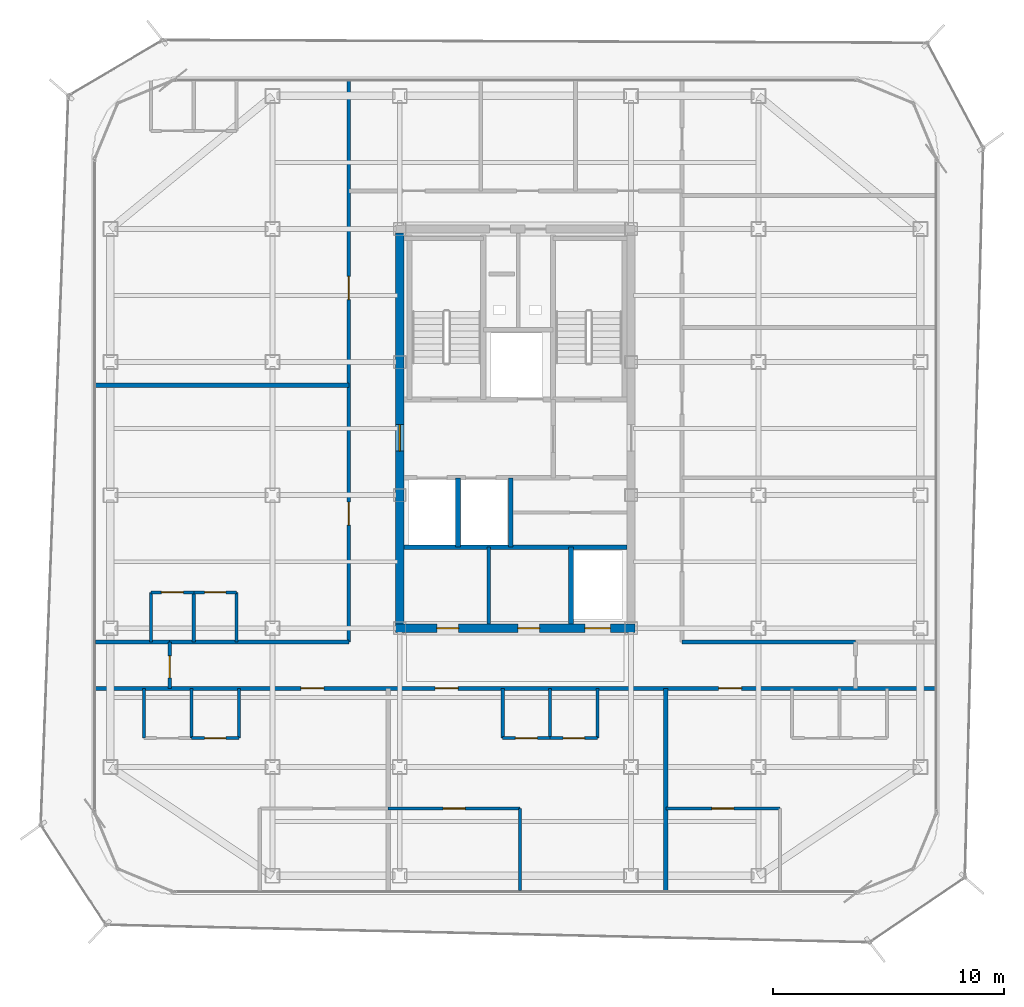
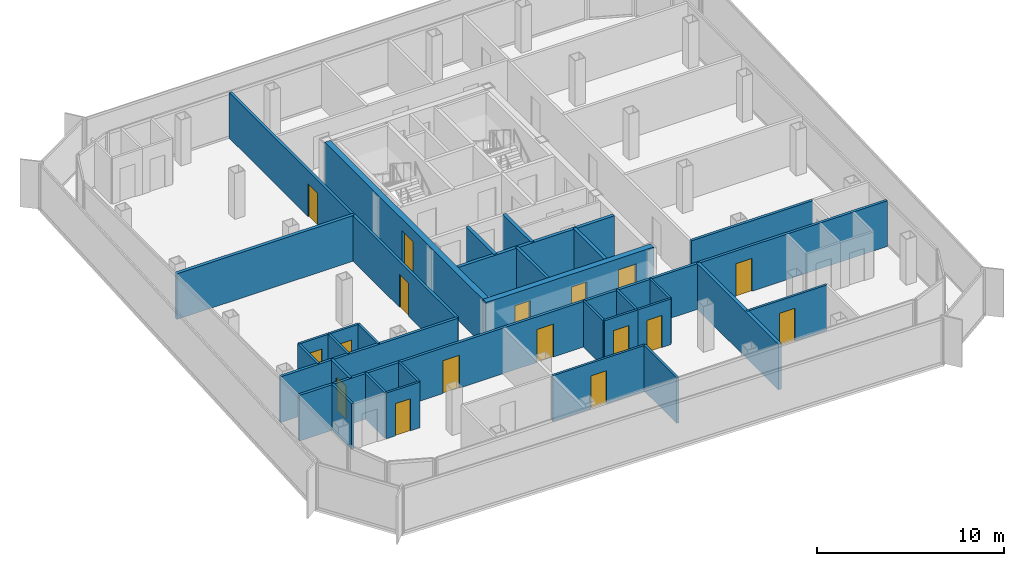
# One storey, part 10 of 15: 32 walls, 17 doors, 17 openings.
"""IFC4 building model written with IfcOpenShell, lengths in metres."""

from ifc_helpers import new_model, si_unit, direction, frame, frame_2d, origin, place, context, subcontext, project, spatial, rectangle, extrude, material, layer, layer_set, type_object, element, fill, save


model = new_model("IFC4")

# Units and contexts
model_context = context("Model", 3, precision=1e-05, world=origin(), true_north=direction((0.0, 1.0)))
body_context = subcontext(model_context, "Body", "Model", "MODEL_VIEW")
ifc_project = project(units=[si_unit("LENGTHUNIT", "METRE"), si_unit("AREAUNIT", "SQUARE_METRE"), si_unit("VOLUMEUNIT", "CUBIC_METRE"), si_unit("PLANEANGLEUNIT", "RADIAN"), si_unit("MASSUNIT", "GRAM", prefix="KILO")], contexts=[model_context])

# Site, building, storey
site_placement = place(None, origin())
site = spatial("IfcSite", under=ifc_project, at=site_placement, CompositionType="ELEMENT")
building_placement = place(site_placement, origin())
building = spatial("IfcBuilding", under=site, at=building_placement, Name="Kolveth Station Tower", CompositionType="ELEMENT")
storey_placement = place(building_placement, frame((0.0, 0.0, 220.10009765625)))
storey = spatial("IfcBuildingStorey", under=building, at=storey_placement, Name="L62", CompositionType="ELEMENT", Elevation=220.10009765625)

# Wall, openings, doors
ifc_material_1 = material(Name="Concrete C50/60", Category="concrete")
ifc_layer_1 = layer(ifc_material_1, 0.35009765625)
ifc_layer_set_1 = layer_set([ifc_layer_1], Name="Concrete C50/60")
wall_type_1 = type_object("IfcWallType", Name="Wall_CW-350", PredefinedType="SHEAR", material=ifc_layer_set_1)
wall_1_placement = place(storey_placement, frame((18.324951171875, 11.5, 0.0), z_axis=(0.0, 0.0, 1.0), x_axis=(1.0, 0.0, 0.0)))
wall_1 = element("IfcWall", 1, at=wall_1_placement, inside=storey, type_object=wall_type_1, Name="L62 Core RC Shear Wall S", PredefinedType="SHEAR", context=body_context, shape_type="SweptSolid", body=[
    extrude(rectangle(XDim=10.35009765625, YDim=0.35009765625, at=frame_2d((5.175048828125, 0.0))), origin(), (0.0, 0.0, 1.0), 2.97998046875),
])
opening_1_placement = place(wall_1_placement, frame((1.77490234375, 0.0, 0.0)))
opening_1 = element("IfcOpeningElement", 2, at=opening_1_placement, cuts=wall_1, Name="Opening ID1", PredefinedType="OPENING", context=body_context, shape_type="SweptSolid", body=[
    extrude(rectangle(XDim=0.949951171875, YDim=2.14990234375, at=frame_2d((0.47509765625, 1.074951171875))), frame((0.0, 0.18505859375, 0.0), z_axis=(0.0, -1.0, 0.0), x_axis=(1.0, 0.0, 0.0)), (0.0, 0.0, 1.0), 0.3701171875),
])
opening_2_placement = place(wall_1_placement, frame((5.27490234375, 0.0, 0.0)))
opening_2 = element("IfcOpeningElement", 3, at=opening_2_placement, cuts=wall_1, Name="Opening ID1", PredefinedType="OPENING", context=body_context, shape_type="SweptSolid", body=[
    extrude(rectangle(XDim=0.949951171875, YDim=2.14990234375, at=frame_2d((0.47509765625, 1.074951171875))), frame((0.0, 0.18505859375, 0.0), z_axis=(0.0, -1.0, 0.0), x_axis=(1.0, 0.0, 0.0)), (0.0, 0.0, 1.0), 0.3701171875),
])
opening_3_placement = place(wall_1_placement, frame((8.175048828125, 0.0, 0.0)))
opening_3 = element("IfcOpeningElement", 4, at=opening_3_placement, cuts=wall_1, Name="Opening LD1", PredefinedType="OPENING", context=body_context, shape_type="SweptSolid", body=[
    extrude(rectangle(XDim=1.10009765625, YDim=2.25, at=frame_2d((0.550048828125, 1.125))), frame((0.0, 0.18505859375, 0.0), z_axis=(0.0, -1.0, 0.0), x_axis=(1.0, 0.0, 0.0)), (0.0, 0.0, 1.0), 0.3701171875),
])
ifc_material_2 = material(Name="Acoustic hardwood leaf and aluminium frame", Category="wood")
door_type_1 = type_object("IfcDoorType", Name="Door_ID1", OperationType="NOTDEFINED", PredefinedType="DOOR", material=ifc_material_2)
door_1_placement = place(opening_1_placement, frame((0.949951171875, 0.0, 0.0), z_axis=(0.0, 0.0, 1.0), x_axis=(-1.0, 0.0, 0.0)))
door_1 = element("IfcDoor", 5, at=door_1_placement, inside=storey, type_object=door_type_1, Name="L62 Laundry Room Door", OperationType="SINGLE_SWING_RIGHT", OverallHeight=2.14990234375, OverallWidth=0.949951171875, PredefinedType="DOOR", context=body_context, shape_type="SweptSolid", body=[
    extrude(rectangle(XDim=0.949951171875, YDim=2.14990234375, at=frame_2d((0.47509765625, 1.074951171875))), frame((0.0, 0.02490234375, 0.0), z_axis=(0.0, -1.0, 0.0), x_axis=(1.0, 0.0, 0.0)), (0.0, 0.0, 1.0), 0.050048828125),
])
fill(opening_1, door_1)
door_2_placement = place(opening_2_placement, frame((0.949951171875, 0.0, 0.0), z_axis=(0.0, 0.0, 1.0), x_axis=(-1.0, 0.0, 0.0)))
door_2 = element("IfcDoor", 6, at=door_2_placement, inside=storey, type_object=door_type_1, Name="L62 Parcel Room Door", OperationType="SINGLE_SWING_LEFT", OverallHeight=2.14990234375, OverallWidth=0.949951171875, PredefinedType="DOOR", context=body_context, shape_type="SweptSolid", body=[
    extrude(rectangle(XDim=0.949951171875, YDim=2.14990234375, at=frame_2d((0.47509765625, 1.074951171875))), frame((0.0, 0.02490234375, 0.0), z_axis=(0.0, -1.0, 0.0), x_axis=(1.0, 0.0, 0.0)), (0.0, 0.0, 1.0), 0.050048828125),
])
fill(opening_2, door_2)
ifc_material_3 = material(Name="Brushed stainless steel sliding landing doors", Category="steel")
door_type_2 = type_object("IfcDoorType", Name="Door_LD1", OperationType="NOTDEFINED", PredefinedType="DOOR", material=ifc_material_3)
door_3_placement = place(opening_3_placement, frame((1.10009765625, 0.0, 0.0), z_axis=(0.0, 0.0, 1.0), x_axis=(-1.0, 0.0, 0.0)))
door_3 = element("IfcDoor", 7, at=door_3_placement, inside=storey, type_object=door_type_2, Name="L62 Lift PH1 Landing Door", OperationType="DOUBLE_DOOR_SLIDING", OverallHeight=2.25, OverallWidth=1.10009765625, PredefinedType="DOOR", context=body_context, shape_type="SweptSolid", body=[
    extrude(rectangle(XDim=1.10009765625, YDim=2.25, at=frame_2d((0.550048828125, 1.125))), frame((0.0, 0.02490234375, 0.0), z_axis=(0.0, -1.0, 0.0), x_axis=(1.0, 0.0, 0.0)), (0.0, 0.0, 1.0), 0.050048828125),
])
fill(opening_3, door_3)

# Wall, opening, door
wall_2_placement = place(storey_placement, frame((18.5, 11.675048828125, 0.0), z_axis=(0.0, 0.0, 1.0), x_axis=(0.0, 1.0, 0.0)))
wall_2 = element("IfcWall", 8, at=wall_2_placement, inside=storey, type_object=wall_type_1, Name="L62 Core RC Shear Wall W", PredefinedType="SHEAR", context=body_context, shape_type="SweptSolid", body=[
    extrude(rectangle(XDim=16.89990234375, YDim=0.35009765625, at=frame_2d((8.449951171875, 0.0))), origin(), (0.0, 0.0, 1.0), 2.97998046875),
])
opening_4_placement = place(wall_2_placement, frame((7.47509765625, 0.0, 0.0)))
opening_4 = element("IfcOpeningElement", 9, at=opening_4_placement, cuts=wall_2, Name="Opening FD1", PredefinedType="OPENING", context=body_context, shape_type="SweptSolid", body=[
    extrude(rectangle(XDim=1.14990234375, YDim=2.199951171875, at=frame_2d((0.574951171875, 1.10009765625))), frame((0.0, 0.18505859375, 0.0), z_axis=(0.0, -1.0, 0.0), x_axis=(1.0, 0.0, 0.0)), (0.0, 0.0, 1.0), 0.3701171875),
])
ifc_material_4 = material(Name="Fire-rated Steel S355 leaf and frame", Category="steel")
door_type_3 = type_object("IfcDoorType", Name="Door_FD1", OperationType="NOTDEFINED", PredefinedType="DOOR", material=ifc_material_4)
door_4_placement = place(opening_4_placement, frame((1.14990234375, 0.0, 0.0), z_axis=(0.0, 0.0, 1.0), x_axis=(-1.0, 0.0, 0.0)))
door_4 = element("IfcDoor", 10, at=door_4_placement, inside=storey, type_object=door_type_3, Name="L62 West Corridor to Firefighting Lobby Door", OperationType="SINGLE_SWING_RIGHT", OverallHeight=2.199951171875, OverallWidth=1.14990234375, PredefinedType="DOOR", context=body_context, shape_type="SweptSolid", body=[
    extrude(rectangle(XDim=1.14990234375, YDim=2.199951171875, at=frame_2d((0.574951171875, 1.10009765625))), frame((0.0, 0.02490234375, 0.0), z_axis=(0.0, -1.0, 0.0), x_axis=(1.0, 0.0, 0.0)), (0.0, 0.0, 1.0), 0.050048828125),
])
fill(opening_4, door_4)

ifc_material_5 = material(Name="Moisture-resistant gypsum partition")
ifc_layer_2 = layer(ifc_material_5, 0.135009765625)
ifc_layer_set_2 = layer_set([ifc_layer_2], Name="Moisture-resistant gypsum partition")
wall_type_2 = type_object("IfcWallType", Name="Wall_IW-135", PredefinedType="PARTITIONING", material=ifc_layer_set_2)
wall_3_placement = place(storey_placement, frame((9.5, 6.75, 0.0), z_axis=(0.0, 0.0, 1.0), x_axis=(1.0, 0.0, 0.0)))
wall_3 = element("IfcWall", 11, at=wall_3_placement, inside=storey, type_object=wall_type_2, Name="L62 Partition Wall WL-L62-A1-IBHB", PredefinedType="PARTITIONING", context=body_context, shape_type="SweptSolid", body=[
    extrude(rectangle(XDim=2.050048828125, YDim=0.135009765625, at=frame_2d((1.02490234375, 0.0))), origin(), (0.0, 0.0, 1.0), 2.97998046875),
])
opening_5_placement = place(wall_3_placement, frame((0.56494140625, 0.0, 0.0)))
opening_5 = element("IfcOpeningElement", 12, at=opening_5_placement, cuts=wall_3, Name="Opening ID2", PredefinedType="OPENING", context=body_context, shape_type="SweptSolid", body=[
    extrude(rectangle(XDim=0.919921875, YDim=2.10009765625, at=frame_2d((0.4599609375, 1.050048828125))), frame((0.0, 0.077392578125, 0.0), z_axis=(0.0, -1.0, 0.0), x_axis=(1.0, 0.0, 0.0)), (0.0, 0.0, 1.0), 0.155029296875),
])
ifc_material_6 = material(Name="Moisture-resistant hardwood leaf", Category="wood")
door_type_4 = type_object("IfcDoorType", Name="Door_ID2", OperationType="NOTDEFINED", PredefinedType="DOOR", material=ifc_material_6)
door_5_placement = place(opening_5_placement, origin())
door_5 = element("IfcDoor", 13, at=door_5_placement, inside=storey, type_object=door_type_4, Name="Penthouse Flat L62-A1 Bathroom Door", OperationType="SINGLE_SWING_LEFT", OverallHeight=2.10009765625, OverallWidth=0.919921875, PredefinedType="DOOR", context=body_context, shape_type="SweptSolid", body=[
    extrude(rectangle(XDim=0.919921875, YDim=2.10009765625, at=frame_2d((0.4599609375, 1.050048828125))), frame((0.0, 0.02490234375, 0.0), z_axis=(0.0, -1.0, 0.0), x_axis=(1.0, 0.0, 0.0)), (0.0, 0.0, 1.0), 0.050048828125),
])
fill(opening_5, door_5)

# Walls
for number, where, z_axis, x_axis, name in (
    (14, (7.449951171875, 6.75, 0.0), (0.0, 0.0, 1.0), (0.0, 1.0, 0.0), "L62 Partition Wall WL-L62-A1-IBV0"),
    (15, (9.5, 6.75, 0.0), (0.0, 0.0, 1.0), (0.0, 1.0, 0.0), "L62 Partition Wall WL-L62-A1-IBV1"),
    (16, (11.550048828125, 6.75, 0.0), (0.0, 0.0, 1.0), (0.0, 1.0, 0.0), "L62 Partition Wall WL-L62-A1-IBV2"),
):
    element("IfcWall", number, at=place(storey_placement, frame(where, z_axis=z_axis, x_axis=x_axis)), inside=storey, type_object=wall_type_2, Name=name, PredefinedType="PARTITIONING", context=body_context, shape_type="SweptSolid", body=[
        extrude(rectangle(XDim=2.14990234375, YDim=0.135009765625, at=frame_2d((1.074951171875, 0.0))), origin(), (0.0, 0.0, 1.0), 2.97998046875),
    ])

# Wall, opening, door
wall_4_placement = place(storey_placement, frame((22.949951171875, 6.75, 0.0), z_axis=(0.0, 0.0, 1.0), x_axis=(1.0, 0.0, 0.0)))
wall_4 = element("IfcWall", 17, at=wall_4_placement, inside=storey, type_object=wall_type_2, Name="L62 Partition Wall WL-L62-A2-IBHK", PredefinedType="PARTITIONING", context=body_context, shape_type="SweptSolid", body=[
    extrude(rectangle(XDim=2.050048828125, YDim=0.135009765625, at=frame_2d((1.02490234375, 0.0))), origin(), (0.0, 0.0, 1.0), 2.97998046875),
])
opening_6_placement = place(wall_4_placement, frame((0.544921875, 0.0, 0.0)))
opening_6 = element("IfcOpeningElement", 18, at=opening_6_placement, cuts=wall_4, Name="Opening ID1", PredefinedType="OPENING", context=body_context, shape_type="SweptSolid", body=[
    extrude(rectangle(XDim=0.949951171875, YDim=2.14990234375, at=frame_2d((0.47509765625, 1.074951171875))), frame((0.0, 0.077392578125, 0.0), z_axis=(0.0, -1.0, 0.0), x_axis=(1.0, 0.0, 0.0)), (0.0, 0.0, 1.0), 0.155029296875),
])
door_6_placement = place(opening_6_placement, origin())
door_6 = element("IfcDoor", 19, at=door_6_placement, inside=storey, type_object=door_type_1, Name="Penthouse Flat L62-A2 Kitchen Door", OperationType="SINGLE_SWING_RIGHT", OverallHeight=2.14990234375, OverallWidth=0.949951171875, PredefinedType="DOOR", context=body_context, shape_type="SweptSolid", body=[
    extrude(rectangle(XDim=0.949951171875, YDim=2.14990234375, at=frame_2d((0.47509765625, 1.074951171875))), frame((0.0, 0.02490234375, 0.0), z_axis=(0.0, -1.0, 0.0), x_axis=(1.0, 0.0, 0.0)), (0.0, 0.0, 1.0), 0.050048828125),
])
fill(opening_6, door_6)

wall_5_placement = place(storey_placement, frame((25.0, 6.75, 0.0), z_axis=(0.0, 0.0, 1.0), x_axis=(1.0, 0.0, 0.0)))
wall_5 = element("IfcWall", 20, at=wall_5_placement, inside=storey, type_object=wall_type_2, Name="L62 Partition Wall WL-L62-A2-IBHB", PredefinedType="PARTITIONING", context=body_context, shape_type="SweptSolid", body=[
    extrude(rectangle(XDim=2.050048828125, YDim=0.135009765625, at=frame_2d((1.02490234375, 0.0))), origin(), (0.0, 0.0, 1.0), 2.97998046875),
])
opening_7_placement = place(wall_5_placement, frame((0.56494140625, 0.0, 0.0)))
opening_7 = element("IfcOpeningElement", 21, at=opening_7_placement, cuts=wall_5, Name="Opening ID2", PredefinedType="OPENING", context=body_context, shape_type="SweptSolid", body=[
    extrude(rectangle(XDim=0.919921875, YDim=2.10009765625, at=frame_2d((0.4599609375, 1.050048828125))), frame((0.0, 0.077392578125, 0.0), z_axis=(0.0, -1.0, 0.0), x_axis=(1.0, 0.0, 0.0)), (0.0, 0.0, 1.0), 0.155029296875),
])
door_7_placement = place(opening_7_placement, origin())
door_7 = element("IfcDoor", 22, at=door_7_placement, inside=storey, type_object=door_type_4, Name="Penthouse Flat L62-A2 Bathroom Door", OperationType="SINGLE_SWING_LEFT", OverallHeight=2.10009765625, OverallWidth=0.919921875, PredefinedType="DOOR", context=body_context, shape_type="SweptSolid", body=[
    extrude(rectangle(XDim=0.919921875, YDim=2.10009765625, at=frame_2d((0.4599609375, 1.050048828125))), frame((0.0, 0.02490234375, 0.0), z_axis=(0.0, -1.0, 0.0), x_axis=(1.0, 0.0, 0.0)), (0.0, 0.0, 1.0), 0.050048828125),
])
fill(opening_7, door_7)

# Walls
for number, where, z_axis, x_axis, name in (
    (23, (22.949951171875, 6.75, 0.0), (0.0, 0.0, 1.0), (0.0, 1.0, 0.0), "L62 Partition Wall WL-L62-A2-IBV0"),
    (24, (25.0, 6.75, 0.0), (0.0, 0.0, 1.0), (0.0, 1.0, 0.0), "L62 Partition Wall WL-L62-A2-IBV1"),
    (25, (27.050048828125, 6.75, 0.0), (0.0, 0.0, 1.0), (0.0, 1.0, 0.0), "L62 Partition Wall WL-L62-A2-IBV2"),
):
    element("IfcWall", number, at=place(storey_placement, frame(where, z_axis=z_axis, x_axis=x_axis)), inside=storey, type_object=wall_type_2, Name=name, PredefinedType="PARTITIONING", context=body_context, shape_type="SweptSolid", body=[
        extrude(rectangle(XDim=2.14990234375, YDim=0.135009765625, at=frame_2d((1.074951171875, 0.0))), origin(), (0.0, 0.0, 1.0), 2.97998046875),
    ])
wall_6_placement = place(storey_placement, frame((23.7041015625, 0.159912109375, 0.0), z_axis=(0.0, 0.0, 1.0), x_axis=(0.0, 1.0, 0.0)))
element("IfcWall", 26, at=wall_6_placement, inside=storey, type_object=wall_type_2, Name="L62 Partition Wall WL-L62-A2-BDVE", PredefinedType="PARTITIONING", context=body_context, shape_type="SweptSolid", body=[
    extrude(rectangle(XDim=3.550048828125, YDim=0.135009765625, at=frame_2d((1.77490234375, 0.0))), origin(), (0.0, 0.0, 1.0), 2.97998046875),
])

# Wall, opening, door
wall_7_placement = place(storey_placement, frame((18.0, 3.7099609375, 0.0), z_axis=(0.0, 0.0, 1.0), x_axis=(1.0, 0.0, 0.0)))
wall_7 = element("IfcWall", 27, at=wall_7_placement, inside=storey, type_object=wall_type_2, Name="L62 Partition Wall WL-L62-A2-BDH1", PredefinedType="PARTITIONING", context=body_context, shape_type="SweptSolid", body=[
    extrude(rectangle(XDim=5.7041015625, YDim=0.135009765625, at=frame_2d((2.85205078125, 0.0))), origin(), (0.0, 0.0, 1.0), 2.97998046875),
])
opening_8_placement = place(wall_7_placement, frame((2.3720703125, 0.0, 0.0)))
opening_8 = element("IfcOpeningElement", 28, at=opening_8_placement, cuts=wall_7, Name="Opening ID1", PredefinedType="OPENING", context=body_context, shape_type="SweptSolid", body=[
    extrude(rectangle(XDim=0.949951171875, YDim=2.14990234375, at=frame_2d((0.47509765625, 1.074951171875))), frame((0.0, 0.077392578125, 0.0), z_axis=(0.0, -1.0, 0.0), x_axis=(1.0, 0.0, 0.0)), (0.0, 0.0, 1.0), 0.155029296875),
])
door_8_placement = place(opening_8_placement, frame((0.949951171875, 0.0, 0.0), z_axis=(0.0, 0.0, 1.0), x_axis=(-1.0, 0.0, 0.0)))
door_8 = element("IfcDoor", 29, at=door_8_placement, inside=storey, type_object=door_type_1, Name="Penthouse Flat L62-A2 Bedroom 1 Door", OperationType="SINGLE_SWING_RIGHT", OverallHeight=2.14990234375, OverallWidth=0.949951171875, PredefinedType="DOOR", context=body_context, shape_type="SweptSolid", body=[
    extrude(rectangle(XDim=0.949951171875, YDim=2.14990234375, at=frame_2d((0.47509765625, 1.074951171875))), frame((0.0, 0.02490234375, 0.0), z_axis=(0.0, -1.0, 0.0), x_axis=(1.0, 0.0, 0.0)), (0.0, 0.0, 1.0), 0.050048828125),
])
fill(opening_8, door_8)

wall_8_placement = place(storey_placement, frame((30.0, 3.7099609375, 0.0), z_axis=(0.0, 0.0, 1.0), x_axis=(1.0, 0.0, 0.0)))
wall_8 = element("IfcWall", 30, at=wall_8_placement, inside=storey, type_object=wall_type_2, Name="L62 Partition Wall WL-L62-A3-BDH1", PredefinedType="PARTITIONING", context=body_context, shape_type="SweptSolid", body=[
    extrude(rectangle(XDim=4.928955078125, YDim=0.135009765625, at=frame_2d((2.46435546875, 0.0))), origin(), (0.0, 0.0, 1.0), 2.97998046875),
])
opening_9_placement = place(wall_8_placement, frame((1.985107421875, 0.0, 0.0)))
opening_9 = element("IfcOpeningElement", 31, at=opening_9_placement, cuts=wall_8, Name="Opening ID1", PredefinedType="OPENING", context=body_context, shape_type="SweptSolid", body=[
    extrude(rectangle(XDim=0.949951171875, YDim=2.14990234375, at=frame_2d((0.47509765625, 1.074951171875))), frame((0.0, 0.077392578125, 0.0), z_axis=(0.0, -1.0, 0.0), x_axis=(1.0, 0.0, 0.0)), (0.0, 0.0, 1.0), 0.155029296875),
])
door_9_placement = place(opening_9_placement, frame((0.949951171875, 0.0, 0.0), z_axis=(0.0, 0.0, 1.0), x_axis=(-1.0, 0.0, 0.0)))
door_9 = element("IfcDoor", 32, at=door_9_placement, inside=storey, type_object=door_type_1, Name="Flat L62-A3 Bedroom 1 Door", OperationType="SINGLE_SWING_LEFT", OverallHeight=2.14990234375, OverallWidth=0.949951171875, PredefinedType="DOOR", context=body_context, shape_type="SweptSolid", body=[
    extrude(rectangle(XDim=0.949951171875, YDim=2.14990234375, at=frame_2d((0.47509765625, 1.074951171875))), frame((0.0, 0.02490234375, 0.0), z_axis=(0.0, -1.0, 0.0), x_axis=(1.0, 0.0, 0.0)), (0.0, 0.0, 1.0), 0.050048828125),
])
fill(opening_9, door_9)

wall_9_placement = place(storey_placement, frame((7.75, 13.050048828125, 0.0), z_axis=(0.0, 0.0, 1.0), x_axis=(1.0, 0.0, 0.0)))
wall_9 = element("IfcWall", 33, at=wall_9_placement, inside=storey, type_object=wall_type_2, Name="L62 Partition Wall WL-L62-W1-IBHK", PredefinedType="PARTITIONING", context=body_context, shape_type="SweptSolid", body=[
    extrude(rectangle(XDim=1.85009765625, YDim=0.135009765625, at=frame_2d((0.925048828125, 0.0))), origin(), (0.0, 0.0, 1.0), 2.97998046875),
])
opening_10_placement = place(wall_9_placement, frame((0.445068359375, 0.0, 0.0)))
opening_10 = element("IfcOpeningElement", 34, at=opening_10_placement, cuts=wall_9, Name="Opening ID1", PredefinedType="OPENING", context=body_context, shape_type="SweptSolid", body=[
    extrude(rectangle(XDim=0.949951171875, YDim=2.14990234375, at=frame_2d((0.47509765625, 1.074951171875))), frame((0.0, 0.077392578125, 0.0), z_axis=(0.0, -1.0, 0.0), x_axis=(1.0, 0.0, 0.0)), (0.0, 0.0, 1.0), 0.155029296875),
])
door_10_placement = place(opening_10_placement, origin())
door_10 = element("IfcDoor", 35, at=door_10_placement, inside=storey, type_object=door_type_1, Name="Penthouse Flat L62-W1 Kitchen Door", OperationType="SINGLE_SWING_RIGHT", OverallHeight=2.14990234375, OverallWidth=0.949951171875, PredefinedType="DOOR", context=body_context, shape_type="SweptSolid", body=[
    extrude(rectangle(XDim=0.949951171875, YDim=2.14990234375, at=frame_2d((0.47509765625, 1.074951171875))), frame((0.0, 0.02490234375, 0.0), z_axis=(0.0, -1.0, 0.0), x_axis=(1.0, 0.0, 0.0)), (0.0, 0.0, 1.0), 0.050048828125),
])
fill(opening_10, door_10)

wall_10_placement = place(storey_placement, frame((9.60009765625, 13.050048828125, 0.0), z_axis=(0.0, 0.0, 1.0), x_axis=(1.0, 0.0, 0.0)))
wall_10 = element("IfcWall", 36, at=wall_10_placement, inside=storey, type_object=wall_type_2, Name="L62 Partition Wall WL-L62-W1-IBHB", PredefinedType="PARTITIONING", context=body_context, shape_type="SweptSolid", body=[
    extrude(rectangle(XDim=1.849853515625, YDim=0.135009765625, at=frame_2d((0.9248046875, 0.0))), origin(), (0.0, 0.0, 1.0), 2.97998046875),
])
opening_11_placement = place(wall_10_placement, frame((0.465087890625, 0.0, 0.0)))
opening_11 = element("IfcOpeningElement", 37, at=opening_11_placement, cuts=wall_10, Name="Opening ID2", PredefinedType="OPENING", context=body_context, shape_type="SweptSolid", body=[
    extrude(rectangle(XDim=0.919921875, YDim=2.10009765625, at=frame_2d((0.4599609375, 1.050048828125))), frame((0.0, 0.077392578125, 0.0), z_axis=(0.0, -1.0, 0.0), x_axis=(1.0, 0.0, 0.0)), (0.0, 0.0, 1.0), 0.155029296875),
])
door_11_placement = place(opening_11_placement, origin())
door_11 = element("IfcDoor", 38, at=door_11_placement, inside=storey, type_object=door_type_4, Name="Penthouse Flat L62-W1 Bathroom Door", OperationType="SINGLE_SWING_LEFT", OverallHeight=2.10009765625, OverallWidth=0.919921875, PredefinedType="DOOR", context=body_context, shape_type="SweptSolid", body=[
    extrude(rectangle(XDim=0.919921875, YDim=2.10009765625, at=frame_2d((0.4599609375, 1.050048828125))), frame((0.0, 0.02490234375, 0.0), z_axis=(0.0, -1.0, 0.0), x_axis=(1.0, 0.0, 0.0)), (0.0, 0.0, 1.0), 0.050048828125),
])
fill(opening_11, door_11)

# Walls
for number, where, z_axis, x_axis, name in (
    (39, (7.75, 10.89990234375, 0.0), (0.0, 0.0, 1.0), (0.0, 1.0, 0.0), "L62 Partition Wall WL-L62-W1-IBV0"),
    (40, (9.60009765625, 10.89990234375, 0.0), (0.0, 0.0, 1.0), (0.0, 1.0, 0.0), "L62 Partition Wall WL-L62-W1-IBV1"),
    (41, (11.449951171875, 10.89990234375, 0.0), (0.0, 0.0, 1.0), (0.0, 1.0, 0.0), "L62 Partition Wall WL-L62-W1-IBV2"),
):
    element("IfcWall", number, at=place(storey_placement, frame(where, z_axis=z_axis, x_axis=x_axis)), inside=storey, type_object=wall_type_2, Name=name, PredefinedType="PARTITIONING", context=body_context, shape_type="SweptSolid", body=[
        extrude(rectangle(XDim=2.150146484375, YDim=0.135009765625, at=frame_2d((1.0751953125, 0.0))), origin(), (0.0, 0.0, 1.0), 2.97998046875),
    ])
ifc_material_7 = material(Name="Acoustic double-stud gypsum partition")
ifc_layer_3 = layer(ifc_material_7, 0.1650390625)
ifc_layer_set_3 = layer_set([ifc_layer_3], Name="Acoustic double-stud gypsum partition")
wall_type_3 = type_object("IfcWallType", Name="Wall_IW-165", PredefinedType="PARTITIONING", material=ifc_layer_set_3)
wall_11_placement = place(storey_placement, frame((22.35009765625, 11.68505859375, 0.0), z_axis=(0.0, 0.0, 1.0), x_axis=(0.0, 1.0, 0.0)))
element("IfcWall", 42, at=wall_11_placement, inside=storey, type_object=wall_type_3, Name="L62 Partition Wall WL-L62-FR-M", PredefinedType="PARTITIONING", context=body_context, shape_type="SweptSolid", body=[
    extrude(rectangle(XDim=3.31494140625, YDim=0.1650390625, at=frame_2d((1.657470703125, 0.0))), origin(), (0.0, 0.0, 1.0), 2.97998046875),
])

# Wall, openings, doors
wall_12_placement = place(storey_placement, frame((5.360107421875, 8.89990234375, 0.0), z_axis=(0.0, 0.0, 1.0), x_axis=(1.0, 0.0, 0.0)))
wall_12 = element("IfcWall", 43, at=wall_12_placement, inside=storey, type_object=wall_type_3, Name="L62 Partition Wall WL-L62-RS", PredefinedType="PARTITIONING", context=body_context, shape_type="SweptSolid", body=[
    extrude(rectangle(XDim=36.27978515625, YDim=0.1650390625, at=frame_2d((18.139892578125, 0.0))), origin(), (0.0, 0.0, 1.0), 2.97998046875),
])
opening_12_placement = place(wall_12_placement, frame((8.864990234375, 0.0, 0.0)))
opening_12 = element("IfcOpeningElement", 44, at=opening_12_placement, cuts=wall_12, Name="Opening FD3", PredefinedType="OPENING", context=body_context, shape_type="SweptSolid", body=[
    extrude(rectangle(XDim=1.0, YDim=2.14990234375, at=frame_2d((0.5, 1.074951171875))), frame((0.0, 0.092529296875, 0.0), z_axis=(0.0, -1.0, 0.0), x_axis=(1.0, 0.0, 0.0)), (0.0, 0.0, 1.0), 0.18505859375),
])
opening_13_placement = place(wall_12_placement, frame((14.6650390625, 0.0, 0.0)))
opening_13 = element("IfcOpeningElement", 45, at=opening_13_placement, cuts=wall_12, Name="Opening FD3", PredefinedType="OPENING", context=body_context, shape_type="SweptSolid", body=[
    extrude(rectangle(XDim=1.0, YDim=2.14990234375, at=frame_2d((0.5, 1.074951171875))), frame((0.0, 0.092529296875, 0.0), z_axis=(0.0, -1.0, 0.0), x_axis=(1.0, 0.0, 0.0)), (0.0, 0.0, 1.0), 0.18505859375),
])
opening_14_placement = place(wall_12_placement, frame((26.9150390625, 0.0, 0.0)))
opening_14 = element("IfcOpeningElement", 46, at=opening_14_placement, cuts=wall_12, Name="Opening FD3", PredefinedType="OPENING", context=body_context, shape_type="SweptSolid", body=[
    extrude(rectangle(XDim=1.0, YDim=2.14990234375, at=frame_2d((0.5, 1.074951171875))), frame((0.0, 0.092529296875, 0.0), z_axis=(0.0, -1.0, 0.0), x_axis=(1.0, 0.0, 0.0)), (0.0, 0.0, 1.0), 0.18505859375),
])
ifc_material_8 = material(Name="Fire-rated hardwood leaf and aluminium frame", Category="wood")
door_type_5 = type_object("IfcDoorType", Name="Door_FD3", OperationType="NOTDEFINED", PredefinedType="DOOR", material=ifc_material_8)
door_12_placement = place(opening_12_placement, frame((1.0, 0.0, 0.0), z_axis=(0.0, 0.0, 1.0), x_axis=(-1.0, 0.0, 0.0)))
door_12 = element("IfcDoor", 47, at=door_12_placement, inside=storey, type_object=door_type_5, Name="Penthouse Flat L62-A1 Entrance Door", OperationType="SINGLE_SWING_LEFT", OverallHeight=2.14990234375, OverallWidth=1.0, PredefinedType="DOOR", context=body_context, shape_type="SweptSolid", body=[
    extrude(rectangle(XDim=1.0, YDim=2.14990234375, at=frame_2d((0.5, 1.074951171875))), frame((0.0, 0.02490234375, 0.0), z_axis=(0.0, -1.0, 0.0), x_axis=(1.0, 0.0, 0.0)), (0.0, 0.0, 1.0), 0.050048828125),
])
fill(opening_12, door_12)
door_13_placement = place(opening_13_placement, frame((1.0, 0.0, 0.0), z_axis=(0.0, 0.0, 1.0), x_axis=(-1.0, 0.0, 0.0)))
door_13 = element("IfcDoor", 48, at=door_13_placement, inside=storey, type_object=door_type_5, Name="Penthouse Flat L62-A2 Entrance Door", OperationType="SINGLE_SWING_LEFT", OverallHeight=2.14990234375, OverallWidth=1.0, PredefinedType="DOOR", context=body_context, shape_type="SweptSolid", body=[
    extrude(rectangle(XDim=1.0, YDim=2.14990234375, at=frame_2d((0.5, 1.074951171875))), frame((0.0, 0.02490234375, 0.0), z_axis=(0.0, -1.0, 0.0), x_axis=(1.0, 0.0, 0.0)), (0.0, 0.0, 1.0), 0.050048828125),
])
fill(opening_13, door_13)
door_14_placement = place(opening_14_placement, frame((1.0, 0.0, 0.0), z_axis=(0.0, 0.0, 1.0), x_axis=(-1.0, 0.0, 0.0)))
door_14 = element("IfcDoor", 49, at=door_14_placement, inside=storey, type_object=door_type_5, Name="Flat L62-A3 Entrance Door", OperationType="SINGLE_SWING_LEFT", OverallHeight=2.14990234375, OverallWidth=1.0, PredefinedType="DOOR", context=body_context, shape_type="SweptSolid", body=[
    extrude(rectangle(XDim=1.0, YDim=2.14990234375, at=frame_2d((0.5, 1.074951171875))), frame((0.0, 0.02490234375, 0.0), z_axis=(0.0, -1.0, 0.0), x_axis=(1.0, 0.0, 0.0)), (0.0, 0.0, 1.0), 0.050048828125),
])
fill(opening_14, door_14)

# Walls
wall_13_placement = place(storey_placement, frame((8.56005859375, 10.89990234375, 0.0), z_axis=(0.0, 0.0, 1.0), x_axis=(1.0, 0.0, 0.0)))
element("IfcWall", 50, at=wall_13_placement, inside=storey, type_object=wall_type_3, Name="L62 Partition Wall WL-L62-RSWT", PredefinedType="PARTITIONING", context=body_context, shape_type="SweptSolid", body=[
    extrude(rectangle(XDim=7.739990234375, YDim=0.1650390625, at=frame_2d((3.8701171875, 0.0))), origin(), (0.0, 0.0, 1.0), 2.97998046875),
])
wall_14_placement = place(storey_placement, frame((30.699951171875, 10.89990234375, 0.0), z_axis=(0.0, 0.0, 1.0), x_axis=(1.0, 0.0, 0.0)))
element("IfcWall", 51, at=wall_14_placement, inside=storey, type_object=wall_type_3, Name="L62 Partition Wall WL-L62-RSET", PredefinedType="PARTITIONING", context=body_context, shape_type="SweptSolid", body=[
    extrude(rectangle(XDim=7.5, YDim=0.1650390625, at=frame_2d((3.75, 0.0))), origin(), (0.0, 0.0, 1.0), 2.97998046875),
])

# Wall, opening, door
wall_15_placement = place(storey_placement, frame((8.56005859375, 8.89990234375, 0.0), z_axis=(0.0, 0.0, 1.0), x_axis=(0.0, 1.0, 0.0)))
wall_15 = element("IfcWall", 52, at=wall_15_placement, inside=storey, type_object=wall_type_3, Name="L62 Partition Wall WL-L62-RSWE", PredefinedType="PARTITIONING", context=body_context, shape_type="SweptSolid", body=[
    extrude(rectangle(XDim=2.0, YDim=0.1650390625, at=frame_2d((1.0, 0.0))), origin(), (0.0, 0.0, 1.0), 2.97998046875),
])
opening_15_placement = place(wall_15_placement, frame((0.449951171875, 0.0, 0.0)))
opening_15 = element("IfcOpeningElement", 53, at=opening_15_placement, cuts=wall_15, Name="Opening ID1", PredefinedType="OPENING", context=body_context, shape_type="SweptSolid", body=[
    extrude(rectangle(XDim=0.949951171875, YDim=2.14990234375, at=frame_2d((0.47509765625, 1.074951171875))), frame((0.0, 0.092529296875, 0.0), z_axis=(0.0, -1.0, 0.0), x_axis=(1.0, 0.0, 0.0)), (0.0, 0.0, 1.0), 0.18505859375),
])
door_15_placement = place(opening_15_placement, frame((0.949951171875, 0.0, 0.0), z_axis=(0.0, 0.0, 1.0), x_axis=(-1.0, 0.0, 0.0)))
door_15 = element("IfcDoor", 54, at=door_15_placement, inside=storey, type_object=door_type_1, Name="L62 West Store Door", OperationType="SINGLE_SWING_RIGHT", OverallHeight=2.14990234375, OverallWidth=0.949951171875, PredefinedType="DOOR", context=body_context, shape_type="SweptSolid", body=[
    extrude(rectangle(XDim=0.949951171875, YDim=2.14990234375, at=frame_2d((0.47509765625, 1.074951171875))), frame((0.0, 0.02490234375, 0.0), z_axis=(0.0, -1.0, 0.0), x_axis=(1.0, 0.0, 0.0)), (0.0, 0.0, 1.0), 0.050048828125),
])
fill(opening_15, door_15)

# Wall, openings, doors
wall_16_placement = place(storey_placement, frame((16.300048828125, 10.89990234375, 0.0), z_axis=(0.0, 0.0, 1.0), x_axis=(0.0, 1.0, 0.0)))
wall_16 = element("IfcWall", 55, at=wall_16_placement, inside=storey, type_object=wall_type_3, Name="L62 Partition Wall WL-L62-RW", PredefinedType="PARTITIONING", context=body_context, shape_type="SweptSolid", body=[
    extrude(rectangle(XDim=24.239990234375, YDim=0.1650390625, at=frame_2d((12.1201171875, 0.0))), origin(), (0.0, 0.0, 1.0), 2.97998046875),
])
opening_16_placement = place(wall_16_placement, frame((5.050048828125, 0.0, 0.0)))
opening_16 = element("IfcOpeningElement", 56, at=opening_16_placement, cuts=wall_16, Name="Opening FD3", PredefinedType="OPENING", context=body_context, shape_type="SweptSolid", body=[
    extrude(rectangle(XDim=1.0, YDim=2.14990234375, at=frame_2d((0.5, 1.074951171875))), frame((0.0, 0.092529296875, 0.0), z_axis=(0.0, -1.0, 0.0), x_axis=(1.0, 0.0, 0.0)), (0.0, 0.0, 1.0), 0.18505859375),
])
opening_17_placement = place(wall_16_placement, frame((14.800048828125, 0.0, 0.0)))
opening_17 = element("IfcOpeningElement", 57, at=opening_17_placement, cuts=wall_16, Name="Opening FD3", PredefinedType="OPENING", context=body_context, shape_type="SweptSolid", body=[
    extrude(rectangle(XDim=1.0, YDim=2.14990234375, at=frame_2d((0.5, 1.074951171875))), frame((0.0, 0.092529296875, 0.0), z_axis=(0.0, -1.0, 0.0), x_axis=(1.0, 0.0, 0.0)), (0.0, 0.0, 1.0), 0.18505859375),
])
door_16_placement = place(opening_16_placement, origin())
door_16 = element("IfcDoor", 58, at=door_16_placement, inside=storey, type_object=door_type_5, Name="Penthouse Flat L62-W1 Entrance Door", OperationType="SINGLE_SWING_RIGHT", OverallHeight=2.14990234375, OverallWidth=1.0, PredefinedType="DOOR", context=body_context, shape_type="SweptSolid", body=[
    extrude(rectangle(XDim=1.0, YDim=2.14990234375, at=frame_2d((0.5, 1.074951171875))), frame((0.0, 0.02490234375, 0.0), z_axis=(0.0, -1.0, 0.0), x_axis=(1.0, 0.0, 0.0)), (0.0, 0.0, 1.0), 0.050048828125),
])
fill(opening_16, door_16)
door_17_placement = place(opening_17_placement, origin())
door_17 = element("IfcDoor", 59, at=door_17_placement, inside=storey, type_object=door_type_5, Name="Penthouse Flat L62-W2 Entrance Door", OperationType="SINGLE_SWING_LEFT", OverallHeight=2.14990234375, OverallWidth=1.0, PredefinedType="DOOR", context=body_context, shape_type="SweptSolid", body=[
    extrude(rectangle(XDim=1.0, YDim=2.14990234375, at=frame_2d((0.5, 1.074951171875))), frame((0.0, 0.02490234375, 0.0), z_axis=(0.0, -1.0, 0.0), x_axis=(1.0, 0.0, 0.0)), (0.0, 0.0, 1.0), 0.050048828125),
])
fill(opening_17, door_17)

# Walls
wall_17_placement = place(storey_placement, frame((5.360107421875, 10.89990234375, 0.0), z_axis=(0.0, 0.0, 1.0), x_axis=(1.0, 0.0, 0.0)))
element("IfcWall", 60, at=wall_17_placement, inside=storey, type_object=wall_type_3, Name="L62 Partition Wall WL-L62-WSTN", PredefinedType="PARTITIONING", context=body_context, shape_type="SweptSolid", body=[
    extrude(rectangle(XDim=3.199951171875, YDim=0.1650390625, at=frame_2d((1.60009765625, 0.0))), origin(), (0.0, 0.0, 1.0), 2.97998046875),
])
ifc_material_9 = material(Name="Acoustic fire-rated gypsum blockwork", Category="masonry")
ifc_layer_4 = layer(ifc_material_9, 0.199951171875)
ifc_layer_set_4 = layer_set([ifc_layer_4], Name="Acoustic fire-rated gypsum blockwork")
wall_type_4 = type_object("IfcWallType", Name="Wall_IW-200", PredefinedType="PARTITIONING", material=ifc_layer_set_4)
for number, where, z_axis, x_axis, name in (
    (61, (21.02001953125, 15.0, 0.0), (0.0, 0.0, 1.0), (0.0, 1.0, 0.0), "L62 Partition Wall WL-L62-FF12"),
    (62, (23.300048828125, 15.0, 0.0), (0.0, 0.0, 1.0), (0.0, 1.0, 0.0), "L62 Partition Wall WL-L62-FF2E"),
):
    element("IfcWall", number, at=place(storey_placement, frame(where, z_axis=z_axis, x_axis=x_axis)), inside=storey, type_object=wall_type_4, Name=name, PredefinedType="PARTITIONING", context=body_context, shape_type="SweptSolid", body=[
        extrude(rectangle(XDim=3.0, YDim=0.199951171875, at=frame_2d((1.5, 0.0))), origin(), (0.0, 0.0, 1.0), 2.97998046875),
    ])
wall_18_placement = place(storey_placement, frame((18.68505859375, 15.0, 0.0), z_axis=(0.0, 0.0, 1.0), x_axis=(1.0, 0.0, 0.0)))
element("IfcWall", 63, at=wall_18_placement, inside=storey, type_object=wall_type_4, Name="L62 Partition Wall WL-L62-BOH-S", PredefinedType="PARTITIONING", context=body_context, shape_type="SweptSolid", body=[
    extrude(rectangle(XDim=9.6298828125, YDim=0.199951171875, at=frame_2d((4.81494140625, 0.0))), origin(), (0.0, 0.0, 1.0), 2.97998046875),
])
wall_19_placement = place(storey_placement, frame((25.89990234375, 11.68505859375, 0.0), z_axis=(0.0, 0.0, 1.0), x_axis=(0.0, 1.0, 0.0)))
element("IfcWall", 64, at=wall_19_placement, inside=storey, type_object=wall_type_4, Name="L62 Partition Wall WL-L62-PMPH", PredefinedType="PARTITIONING", context=body_context, shape_type="SweptSolid", body=[
    extrude(rectangle(XDim=3.31494140625, YDim=0.199951171875, at=frame_2d((1.657470703125, 0.0))), origin(), (0.0, 0.0, 1.0), 2.97998046875),
])
wall_20_placement = place(storey_placement, frame((30.0, 0.159912109375, 0.0), z_axis=(0.0, 0.0, 1.0), x_axis=(0.0, 1.0, 0.0)))
element("IfcWall", 65, at=wall_20_placement, inside=storey, type_object=wall_type_4, Name="L62 Partition Wall WL-L62-RSU-2", PredefinedType="PARTITIONING", context=body_context, shape_type="SweptSolid", body=[
    extrude(rectangle(XDim=8.739990234375, YDim=0.199951171875, at=frame_2d((4.3701171875, 0.0))), origin(), (0.0, 0.0, 1.0), 2.97998046875),
])
wall_21_placement = place(storey_placement, frame((5.360107421875, 22.0, 0.0), z_axis=(0.0, 0.0, 1.0), x_axis=(1.0, 0.0, 0.0)))
element("IfcWall", 66, at=wall_21_placement, inside=storey, type_object=wall_type_4, Name="L62 Partition Wall WL-L62-RWU-1", PredefinedType="PARTITIONING", context=body_context, shape_type="SweptSolid", body=[
    extrude(rectangle(XDim=10.93994140625, YDim=0.199951171875, at=frame_2d((5.469970703125, 0.0))), origin(), (0.0, 0.0, 1.0), 2.97998046875),
])

save(model, "model.ifc")
